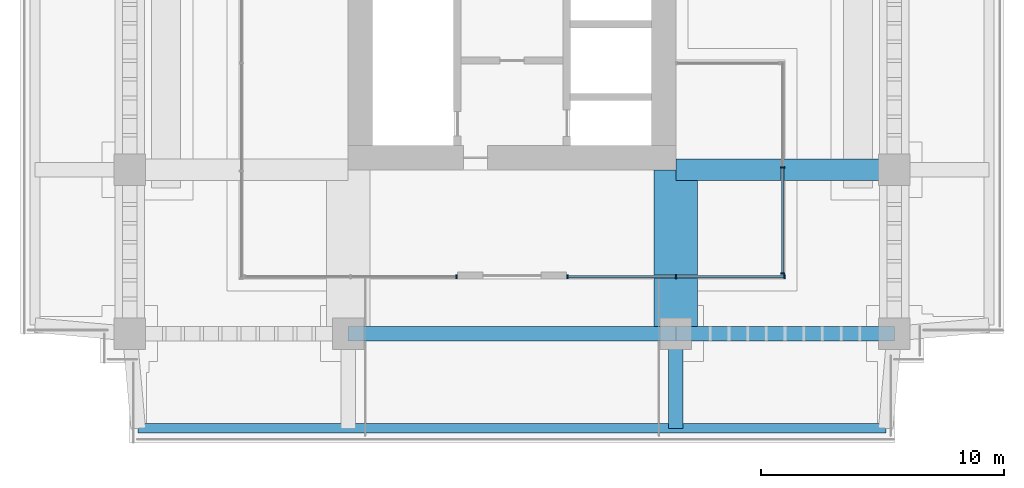
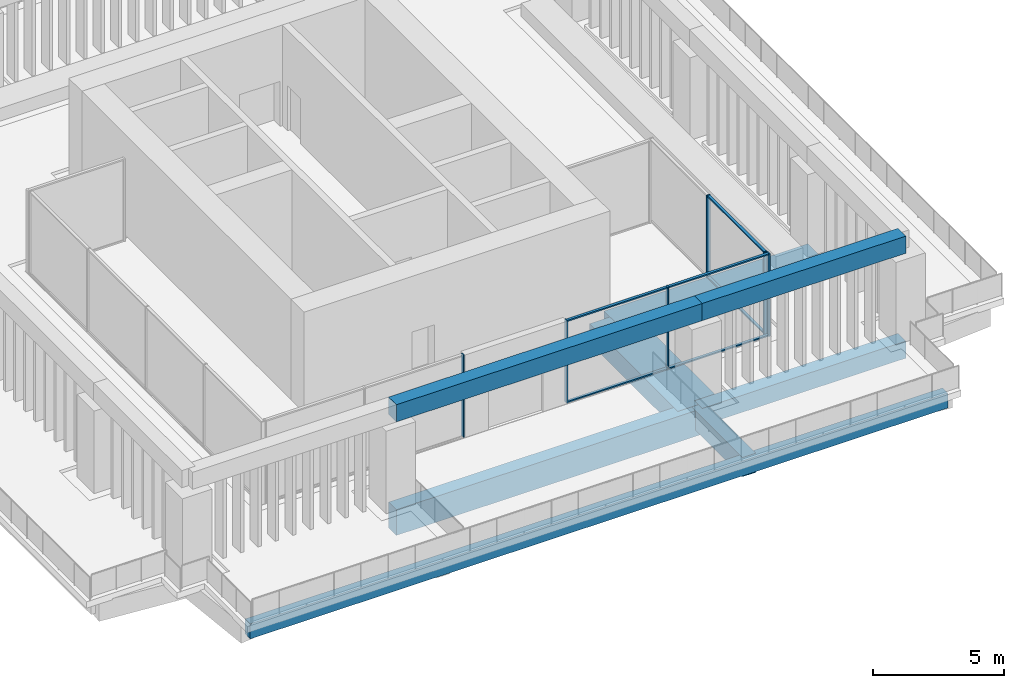
# One storey, part 3 of 9: 12 members, 8 beams, 3 elements without a shape of their own.
"""IFC4 building model written with IfcOpenShell, lengths in metres."""

from ifc_helpers import new_model, si_unit, direction, frame, origin, origin_2d, place, context, subcontext, project, spatial, rectangle, extrude, material, layer, layer_set, material_profile, profile_set, type_object, element, aggregate, save


model = new_model("IFC4")

# Units and contexts
model_context = context("Model", 3, precision=1e-05, world=origin(), true_north=direction((0.0, 1.0)))
body_context = subcontext(model_context, "Body", "Model", "MODEL_VIEW")
ifc_project = project(units=[si_unit("LENGTHUNIT", "METRE"), si_unit("AREAUNIT", "SQUARE_METRE"), si_unit("VOLUMEUNIT", "CUBIC_METRE"), si_unit("PLANEANGLEUNIT", "RADIAN"), si_unit("MASSUNIT", "GRAM", prefix="KILO")], contexts=[model_context])

# Site, building, storey
site_placement = place(None, origin())
site = spatial("IfcSite", under=ifc_project, at=site_placement, CompositionType="ELEMENT")
building_placement = place(site_placement, origin())
building = spatial("IfcBuilding", under=site, at=building_placement, Name="Namib Vertical Campus", CompositionType="ELEMENT")
storey_placement = place(building_placement, frame((0.0, 0.0, 297.0)))
storey = spatial("IfcBuildingStorey", under=building, at=storey_placement, Name="L70", CompositionType="ELEMENT", Elevation=297.0)

# Beam
ifc_material_1 = material(Name="Concrete C40/50", Category="concrete")
ifc_material_profile_1 = material_profile(ifc_material_1, rectangle(XDim=0.60009765625, YDim=0.89990234375, at=origin_2d()))
ifc_profile_set_1 = profile_set([ifc_material_profile_1], Name="Concrete C40/50")
beam_type_1 = type_object("IfcBeamType", Name="Cantilever girder RC 600x900", PredefinedType="BEAM", material=ifc_profile_set_1)
beam_1_placement = place(storey_placement, frame((27.0, 4.5, -0.699951171875), z_axis=(0.0, -1.0, 0.0), x_axis=(1.0, 0.0, 0.0)))
element("IfcBeam", 1, at=beam_1_placement, inside=storey, type_object=beam_type_1, Name="Beam B3 L70", PredefinedType="BEAM", context=body_context, shape_type="SweptSolid", body=[
    extrude(rectangle(XDim=0.60009765625, YDim=0.89990234375, at=origin_2d()), origin(), (0.0, 0.0, 1.0), 3.89990234375),
])

# Curtain wall, members
ifc_material_2 = material(Name="Black aluminium curtain wall", Category="aluminium")
ifc_layer = layer(ifc_material_2, 0.199951171875)
ifc_layer_set = layer_set([ifc_layer], Name="Pavilion curtain wall CW-PV")
curtain_wall_type = type_object("IfcCurtainWallType", Name="Pavilion curtain wall CW-PV", PredefinedType="USERDEFINED", material=ifc_layer_set)
curtain_wall_1_placement = place(storey_placement, origin())
curtain_wall_1 = element("IfcCurtainWall", 2, at=curtain_wall_1_placement, inside=storey, type_object=curtain_wall_type, Name="Curtain wall CW-PV L70 1", ObjectType="CURTAIN WALL", PredefinedType="USERDEFINED")
ifc_material_3 = material(Name="Black anodised aluminium", Category="aluminium")
ifc_material_profile_2 = material_profile(ifc_material_3, rectangle(XDim=0.06005859375, YDim=0.159912109375, at=origin_2d()))
ifc_profile_set_2 = profile_set([ifc_material_profile_2], Name="Black anodised aluminium")
member_type_1 = type_object("IfcMemberType", Name="Curtain wall mullion 60x160", PredefinedType="MULLION", material=ifc_profile_set_2)
member_1_placement = place(storey_placement, frame((31.39990234375, 6.97998046875, 0.0), z_axis=(0.0, 0.0, 1.0), x_axis=(0.0, 1.0, 0.0)))
member_1 = element("IfcMember", 3, at=member_1_placement, type_object=member_type_1, Name="CW-PV mullion 1", PredefinedType="MULLION", context=body_context, shape_type="SweptSolid", body=[
    extrude(rectangle(XDim=0.06005859375, YDim=0.159912109375, at=origin_2d()), origin(), (0.0, 0.0, 1.0), 3.85009765625),
])
member_2_placement = place(storey_placement, frame((31.39990234375, 11.35009765625, 0.0), z_axis=(0.0, 0.0, 1.0), x_axis=(0.0, 1.0, 0.0)))
member_2 = element("IfcMember", 4, at=member_2_placement, type_object=member_type_1, Name="CW-PV mullion 2", PredefinedType="MULLION", context=body_context, shape_type="SweptSolid", body=[
    extrude(rectangle(XDim=0.06005859375, YDim=0.159912109375, at=origin_2d()), origin(), (0.0, 0.0, 1.0), 3.85009765625),
])

# Curtain wall, member
curtain_wall_2_placement = place(storey_placement, origin())
curtain_wall_2 = element("IfcCurtainWall", 5, at=curtain_wall_2_placement, inside=storey, type_object=curtain_wall_type, Name="Curtain wall CW-PV L70 south 1", ObjectType="CURTAIN WALL", PredefinedType="USERDEFINED")
member_3_placement = place(storey_placement, frame((17.969970703125, 6.85009765625, 0.0), z_axis=(0.0, 0.0, 1.0), x_axis=(1.0, 0.0, 0.0)))
member_3 = element("IfcMember", 6, at=member_3_placement, type_object=member_type_1, Name="CW-PV mullion 3", PredefinedType="MULLION", context=body_context, shape_type="SweptSolid", body=[
    extrude(rectangle(XDim=0.06005859375, YDim=0.159912109375, at=origin_2d()), origin(), (0.0, 0.0, 1.0), 3.85009765625),
])
aggregate(curtain_wall_2, [member_3])

# Curtain wall, members
curtain_wall_3_placement = place(storey_placement, origin())
curtain_wall_3 = element("IfcCurtainWall", 7, at=curtain_wall_3_placement, inside=storey, type_object=curtain_wall_type, Name="Curtain wall CW-PV L70 south 2", ObjectType="CURTAIN WALL", PredefinedType="USERDEFINED")
member_4_placement = place(storey_placement, frame((22.530029296875, 6.85009765625, 0.0), z_axis=(0.0, 0.0, 1.0), x_axis=(1.0, 0.0, 0.0)))
member_4 = element("IfcMember", 8, at=member_4_placement, type_object=member_type_1, Name="CW-PV mullion 1", PredefinedType="MULLION", context=body_context, shape_type="SweptSolid", body=[
    extrude(rectangle(XDim=0.06005859375, YDim=0.159912109375, at=origin_2d()), origin(), (0.0, 0.0, 1.0), 3.85009765625),
])
member_5_placement = place(storey_placement, frame((27.0, 6.85009765625, 0.0), z_axis=(0.0, 0.0, 1.0), x_axis=(1.0, 0.0, 0.0)))
member_5 = element("IfcMember", 9, at=member_5_placement, type_object=member_type_1, Name="CW-PV mullion 2", PredefinedType="MULLION", context=body_context, shape_type="SweptSolid", body=[
    extrude(rectangle(XDim=0.06005859375, YDim=0.159912109375, at=origin_2d()), origin(), (0.0, 0.0, 1.0), 3.85009765625),
])
member_6_placement = place(storey_placement, frame((31.469970703125, 6.85009765625, 0.0), z_axis=(0.0, 0.0, 1.0), x_axis=(1.0, 0.0, 0.0)))
member_6 = element("IfcMember", 10, at=member_6_placement, type_object=member_type_1, Name="CW-PV mullion 3", PredefinedType="MULLION", context=body_context, shape_type="SweptSolid", body=[
    extrude(rectangle(XDim=0.06005859375, YDim=0.159912109375, at=origin_2d()), origin(), (0.0, 0.0, 1.0), 3.85009765625),
])

# Member
ifc_material_4 = material(Name="Black anodised aluminium", Category="aluminium")
ifc_material_profile_3 = material_profile(ifc_material_4, rectangle(XDim=0.06005859375, YDim=0.1201171875, at=origin_2d()))
ifc_profile_set_3 = profile_set([ifc_material_profile_3], Name="Black anodised aluminium")
member_type_2 = type_object("IfcMemberType", Name="Curtain wall transom 60x120", PredefinedType="USERDEFINED", material=ifc_profile_set_3)
member_7_placement = place(storey_placement, frame((31.39990234375, 7.010009765625, 0.030029296875), z_axis=(0.0, 1.0, 0.0), x_axis=(0.0, 0.0, 1.0)))
member_7 = element("IfcMember", 11, at=member_7_placement, type_object=member_type_2, Name="CW-PV transom 1.1", ObjectType="TRANSOM", PredefinedType="USERDEFINED", context=body_context, shape_type="SweptSolid", body=[
    extrude(rectangle(XDim=0.06005859375, YDim=0.1201171875, at=origin_2d()), origin(), (0.0, 0.0, 1.0), 4.31005859375),
])

member_8_placement = place(storey_placement, frame((31.39990234375, 7.010009765625, 3.820068359375), z_axis=(0.0, 1.0, 0.0), x_axis=(0.0, 0.0, 1.0)))
member_8 = element("IfcMember", 12, at=member_8_placement, type_object=member_type_2, Name="CW-PV transom 1.2", ObjectType="TRANSOM", PredefinedType="USERDEFINED", context=body_context, shape_type="SweptSolid", body=[
    extrude(rectangle(XDim=0.06005859375, YDim=0.1201171875, at=origin_2d()), origin(), (0.0, 0.0, 1.0), 4.31005859375),
])

aggregate(curtain_wall_1, [member_1, member_2, member_7, member_8])

member_9_placement = place(storey_placement, frame((22.56005859375, 6.85009765625, 0.030029296875), z_axis=(1.0, 0.0, 0.0), x_axis=(0.0, 0.0, 1.0)))
member_9 = element("IfcMember", 13, at=member_9_placement, type_object=member_type_2, Name="CW-PV transom 1.1", ObjectType="TRANSOM", PredefinedType="USERDEFINED", context=body_context, shape_type="SweptSolid", body=[
    extrude(rectangle(XDim=0.06005859375, YDim=0.1201171875, at=origin_2d()), origin(), (0.0, 0.0, 1.0), 4.409912109375),
])

member_10_placement = place(storey_placement, frame((22.56005859375, 6.85009765625, 3.820068359375), z_axis=(1.0, 0.0, 0.0), x_axis=(0.0, 0.0, 1.0)))
member_10 = element("IfcMember", 14, at=member_10_placement, type_object=member_type_2, Name="CW-PV transom 1.2", ObjectType="TRANSOM", PredefinedType="USERDEFINED", context=body_context, shape_type="SweptSolid", body=[
    extrude(rectangle(XDim=0.06005859375, YDim=0.1201171875, at=origin_2d()), origin(), (0.0, 0.0, 1.0), 4.409912109375),
])

member_11_placement = place(storey_placement, frame((27.030029296875, 6.85009765625, 0.030029296875), z_axis=(1.0, 0.0, 0.0), x_axis=(0.0, 0.0, 1.0)))
member_11 = element("IfcMember", 15, at=member_11_placement, type_object=member_type_2, Name="CW-PV transom 2.1", ObjectType="TRANSOM", PredefinedType="USERDEFINED", context=body_context, shape_type="SweptSolid", body=[
    extrude(rectangle(XDim=0.06005859375, YDim=0.1201171875, at=origin_2d()), origin(), (0.0, 0.0, 1.0), 4.409912109375),
])

member_12_placement = place(storey_placement, frame((27.030029296875, 6.85009765625, 3.820068359375), z_axis=(1.0, 0.0, 0.0), x_axis=(0.0, 0.0, 1.0)))
member_12 = element("IfcMember", 16, at=member_12_placement, type_object=member_type_2, Name="CW-PV transom 2.2", ObjectType="TRANSOM", PredefinedType="USERDEFINED", context=body_context, shape_type="SweptSolid", body=[
    extrude(rectangle(XDim=0.06005859375, YDim=0.1201171875, at=origin_2d()), origin(), (0.0, 0.0, 1.0), 4.409912109375),
])

aggregate(curtain_wall_3, [member_4, member_5, member_6, member_9, member_10, member_11, member_12])

# Beams
ifc_material_5 = material(Name="Concrete C40/50", Category="concrete")
ifc_material_profile_4 = material_profile(ifc_material_5, rectangle(XDim=0.39990234375, YDim=0.699951171875, at=origin_2d()))
ifc_profile_set_4 = profile_set([ifc_material_profile_4], Name="Concrete C40/50")
beam_type_2 = type_object("IfcBeamType", Name="Edge beam RC 400x700", PredefinedType="SPANDREL", material=ifc_profile_set_4)
beam_2_placement = place(storey_placement, frame((4.85009765625, 0.60009765625, -0.60009765625), z_axis=(1.0, 0.0, 0.0), x_axis=(0.0, 1.0, 0.0)))
element("IfcBeam", 17, at=beam_2_placement, inside=storey, type_object=beam_type_2, Name="Beam B4 L70", PredefinedType="SPANDREL", context=body_context, shape_type="SweptSolid", body=[
    extrude(rectangle(XDim=0.39990234375, YDim=0.699951171875, at=origin_2d()), origin(), (0.0, 0.0, 1.0), 30.7998046875),
])
ifc_material_6 = material(Name="Concrete C40/50", Category="concrete")
ifc_material_profile_5 = material_profile(ifc_material_6, rectangle(XDim=0.89990234375, YDim=0.89990234375, at=origin_2d()))
ifc_profile_set_5 = profile_set([ifc_material_profile_5], Name="Concrete C40/50")
beam_type_3 = type_object("IfcBeamType", Name="Face girder RC 900x900", PredefinedType="BEAM", material=ifc_profile_set_5)
beam_3_placement = place(storey_placement, frame((36.0, 11.25, -0.699951171875), z_axis=(-1.0, 0.0, 0.0), x_axis=(0.0, -1.0, 0.0)))
element("IfcBeam", 18, at=beam_3_placement, inside=storey, type_object=beam_type_3, Name="Beam B10 L70", PredefinedType="BEAM", context=body_context, shape_type="SweptSolid", body=[
    extrude(rectangle(XDim=0.89990234375, YDim=0.89990234375, at=origin_2d()), origin(), (0.0, 0.0, 1.0), 9.0),
])
ifc_material_7 = material(Name="Concrete C40/50", Category="concrete")
ifc_material_profile_6 = material_profile(ifc_material_7, rectangle(XDim=0.60009765625, YDim=1.199951171875, at=origin_2d()))
ifc_profile_set_6 = profile_set([ifc_material_profile_6], Name="Concrete C40/50")
beam_type_4 = type_object("IfcBeamType", Name="Long-span ring beam RC 600x1200", PredefinedType="BEAM", material=ifc_profile_set_6)
beam_4_placement = place(storey_placement, frame((13.5, 4.5, -0.85009765625), z_axis=(1.0, 0.0, 0.0), x_axis=(0.0, 1.0, 0.0)))
element("IfcBeam", 19, at=beam_4_placement, inside=storey, type_object=beam_type_4, Name="Beam B9 L70", PredefinedType="BEAM", context=body_context, shape_type="SweptSolid", body=[
    extrude(rectangle(XDim=0.60009765625, YDim=1.199951171875, at=origin_2d()), origin(), (0.0, 0.0, 1.0), 13.5),
])
ifc_material_8 = material(Name="Concrete C40/50", Category="concrete")
ifc_material_profile_7 = material_profile(ifc_material_8, rectangle(XDim=1.800048828125, YDim=0.89990234375, at=origin_2d()))
ifc_profile_set_7 = profile_set([ifc_material_profile_7], Name="Concrete C40/50")
beam_type_5 = type_object("IfcBeamType", Name="Outrigger line girder RC 1800x900", PredefinedType="BEAM", material=ifc_profile_set_7)
beam_5_placement = place(storey_placement, frame((27.0, 4.5, -0.699951171875), z_axis=(0.0, 1.0, 0.0), x_axis=(-1.0, 0.0, 0.0)))
element("IfcBeam", 20, at=beam_5_placement, inside=storey, type_object=beam_type_5, Name="Beam B12 L70", PredefinedType="BEAM", context=body_context, shape_type="SweptSolid", body=[
    extrude(rectangle(XDim=1.800048828125, YDim=0.89990234375, at=origin_2d()), origin(), (0.0, 0.0, 1.0), 6.75),
])
ifc_material_9 = material(Name="Concrete C40/50", Category="concrete")
ifc_material_profile_8 = material_profile(ifc_material_9, rectangle(XDim=0.60009765625, YDim=0.800048828125, at=origin_2d()))
ifc_profile_set_8 = profile_set([ifc_material_profile_8], Name="Concrete C40/50")
beam_type_6 = type_object("IfcBeamType", Name="Ring beam RC 600x800", PredefinedType="BEAM", material=ifc_profile_set_8)
beam_6_placement = place(storey_placement, frame((27.0, 4.5, -0.64990234375), z_axis=(1.0, 0.0, 0.0), x_axis=(0.0, 1.0, 0.0)))
element("IfcBeam", 21, at=beam_6_placement, inside=storey, type_object=beam_type_6, Name="Beam B1 L70", PredefinedType="BEAM", context=body_context, shape_type="SweptSolid", body=[
    extrude(rectangle(XDim=0.60009765625, YDim=0.800048828125, at=origin_2d()), origin(), (0.0, 0.0, 1.0), 9.0),
])
beam_7_placement = place(storey_placement, frame((13.5, 4.5, 4.25), z_axis=(1.0, 0.0, 0.0), x_axis=(0.0, 1.0, 0.0)))
element("IfcBeam", 22, at=beam_7_placement, inside=storey, type_object=beam_type_6, Name="Canopy ring beam B1 RBS2", PredefinedType="BEAM", context=body_context, shape_type="SweptSolid", body=[
    extrude(rectangle(XDim=0.60009765625, YDim=0.800048828125, at=origin_2d()), origin(), (0.0, 0.0, 1.0), 13.5),
])
beam_8_placement = place(storey_placement, frame((27.0, 4.5, 4.25), z_axis=(1.0, 0.0, 0.0), x_axis=(0.0, 1.0, 0.0)))
element("IfcBeam", 23, at=beam_8_placement, inside=storey, type_object=beam_type_6, Name="Canopy ring beam B1 RBS3", PredefinedType="BEAM", context=body_context, shape_type="SweptSolid", body=[
    extrude(rectangle(XDim=0.60009765625, YDim=0.800048828125, at=origin_2d()), origin(), (0.0, 0.0, 1.0), 9.0),
])

save(model, "model.ifc")
